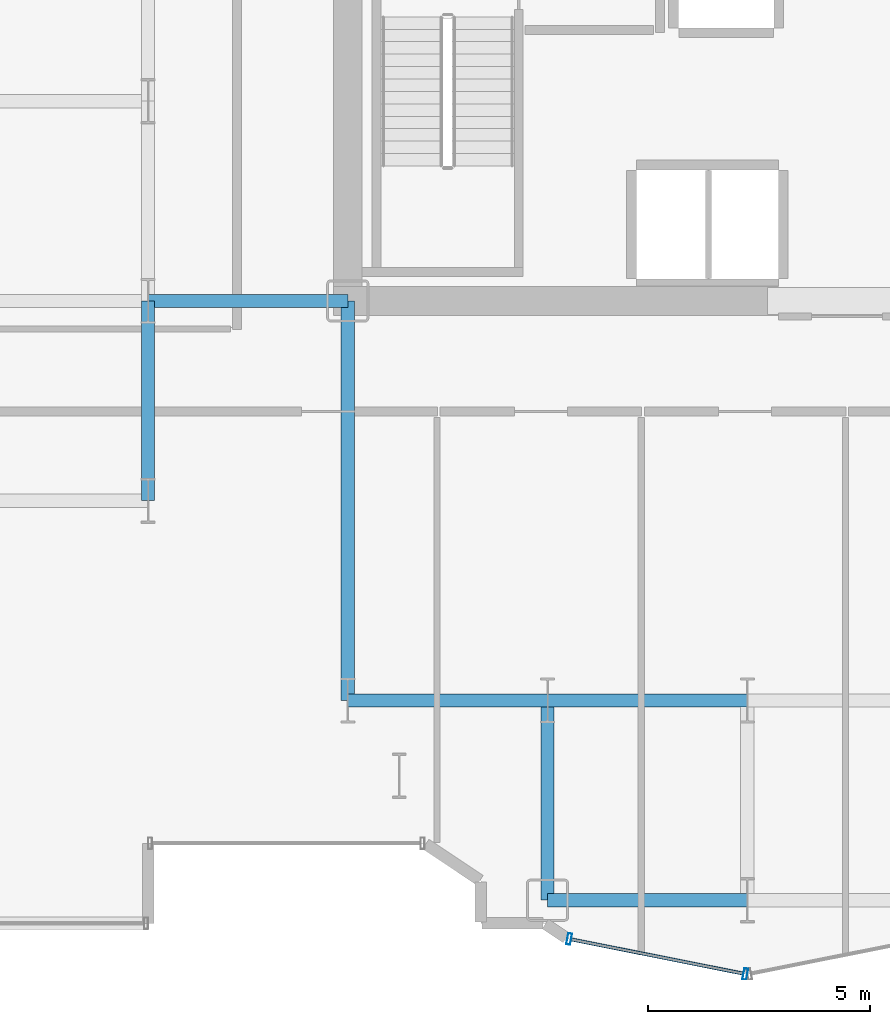
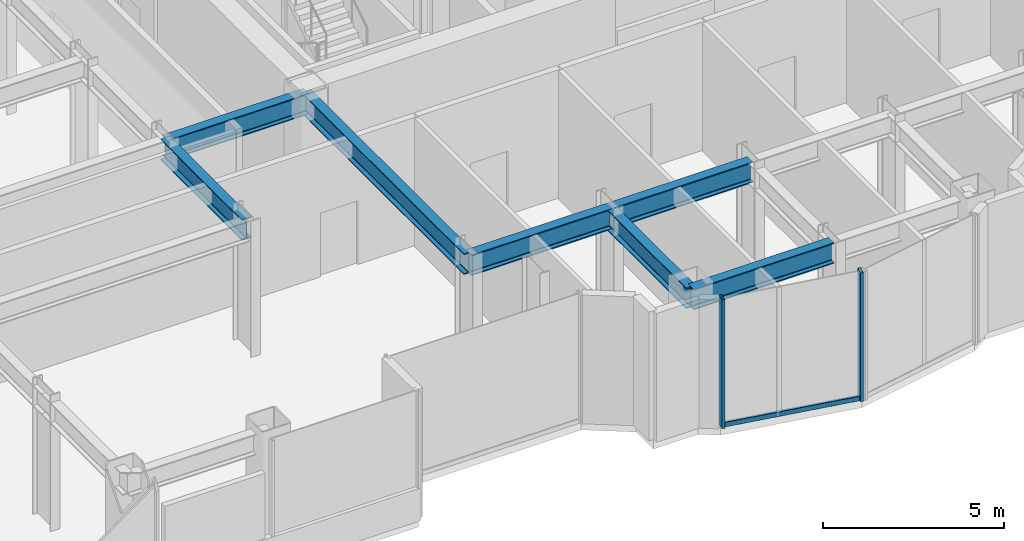
# One storey, part 4 of 30: 7 beams, 3 members, 1 element without a shape of its own.
"""IFC4 building model written with IfcOpenShell, lengths in metres."""

from ifc_helpers import new_model, si_unit, direction, frame, origin, origin_2d, place, context, subcontext, project, spatial, hollow_rectangle, i_section, extrude, source, transform, mapped, material, layer, layer_set, material_profile, profile_set, type_object, element, aggregate, save


model = new_model("IFC4")

# Units and contexts
model_context = context("Model", 3, precision=1e-05, world=origin(), true_north=direction((0.0, 1.0)))
body_context = subcontext(model_context, "Body", "Model", "MODEL_VIEW")
ifc_project = project(units=[si_unit("LENGTHUNIT", "METRE"), si_unit("AREAUNIT", "SQUARE_METRE"), si_unit("VOLUMEUNIT", "CUBIC_METRE"), si_unit("PLANEANGLEUNIT", "RADIAN"), si_unit("MASSUNIT", "GRAM", prefix="KILO")], contexts=[model_context])

# Site, building, storey
site_placement = place(None, origin())
site = spatial("IfcSite", under=ifc_project, at=site_placement, CompositionType="ELEMENT")
building_placement = place(site_placement, origin())
building = spatial("IfcBuilding", under=site, at=building_placement, Name="Nefas-Gora Pilgrimage Tower", CompositionType="ELEMENT")
storey_placement = place(building_placement, frame((0.0, 0.0, 86.199951171875)))
storey = spatial("IfcBuildingStorey", under=building, at=storey_placement, Name="L20", CompositionType="ELEMENT", Elevation=86.199951171875)

# Beams
ifc_material_1 = material(Name="Steel S355", Category="steel")
ifc_material_profile_1 = material_profile(ifc_material_1, i_section(OverallWidth=0.300048828125, OverallDepth=0.699951171875, WebThickness=0.01708984375, FlangeThickness=0.031982421875, FilletRadius=0.027099609375, at=origin_2d()), Name="HEB 700")
ifc_profile_set_1 = profile_set([ifc_material_profile_1], Name="Steel S355")
beam_type = type_object("IfcBeamType", Name="BM-GIR-HEB700", PredefinedType="BEAM", material=ifc_profile_set_1)
shared_shape_1 = source(origin(), body_context, "Body", "SweptSolid", [
    extrude(i_section(OverallWidth=0.300048828125, OverallDepth=0.699951171875, WebThickness=0.01708984375, FlangeThickness=0.031982421875, FilletRadius=0.027099609375, at=origin_2d()), origin(), (0.0, 0.0, 1.0), 9.0),
])
beam_placement = place(storey_placement, frame((-11.25, -18.0, 4.0), z_axis=(0.0, 1.0, 0.0), x_axis=(-1.0, 0.0, 0.0)))
element("IfcBeam", 1, at=beam_placement, inside=storey, type_object=beam_type, Name="L20 G-02 beam", PredefinedType="BEAM", context=body_context, shape_type="MappedRepresentation", body=[
    mapped(shared_shape_1, transform((0.0, 0.0, 0.0), x_axis=(1.0, 0.0, 0.0), y_axis=(0.0, 1.0, 0.0), z_axis=(0.0, 0.0, 1.0), scale=1.0)),
])
shared_shape_2 = source(origin(), body_context, "Body", "SweptSolid", [
    extrude(i_section(OverallWidth=0.300048828125, OverallDepth=0.699951171875, WebThickness=0.01708984375, FlangeThickness=0.031982421875, FilletRadius=0.027099609375, at=origin_2d()), origin(), (0.0, 0.0, 1.0), 4.5),
])
for number, where, z_axis, x_axis, name in (
    (2, (-15.75, -13.5, 4.0), (0.0, 1.0, 0.0), (-1.0, 0.0, 0.0), "L20 G-02 beam"),
    (3, (-15.75, -9.0, 4.0), (1.0, 0.0, 0.0), (0.0, 1.0, 0.0), "L20 G-02 beam"),
    (4, (-11.25, -18.0, 4.0), (1.0, 0.0, 0.0), (0.0, 1.0, 0.0), "L20 G-02 beam"),
    (5, (-6.75, -22.5, 4.0), (0.0, 1.0, 0.0), (-1.0, 0.0, 0.0), "L20 G-02 beam"),
    (6, (-6.75, -22.5, 4.0), (1.0, 0.0, 0.0), (0.0, 1.0, 0.0), "L20 G-02 beam"),
    (7, (-6.75, -18.0, 4.0), (1.0, 0.0, 0.0), (0.0, 1.0, 0.0), "L20 G-02 beam"),
):
    element("IfcBeam", number, at=place(storey_placement, frame(where, z_axis=z_axis, x_axis=x_axis)), inside=storey, type_object=beam_type, Name=name, PredefinedType="BEAM", context=body_context, shape_type="MappedRepresentation", body=[
        mapped(shared_shape_2, transform((0.0, 0.0, 0.0), x_axis=(1.0, 0.0, 0.0), y_axis=(0.0, 1.0, 0.0), z_axis=(0.0, 0.0, 1.0), scale=1.0)),
    ])

# Curtain wall, members
ifc_material_2 = material(Name="Dark ceramic-fritted solar-control aluminium-glass curtain wall", Category="aluminium")
ifc_layer = layer(ifc_material_2, 0.219970703125)
ifc_layer_set = layer_set([ifc_layer], Name="Dark ceramic-fritted solar-control aluminium-glass curtain wall")
curtain_wall_type = type_object("IfcCurtainWallType", Name="CW-SYS-5", PredefinedType="NOTDEFINED", material=ifc_layer_set)
curtain_wall_placement = place(storey_placement, origin())
curtain_wall = element("IfcCurtainWall", 8, at=curtain_wall_placement, inside=storey, type_object=curtain_wall_type, Name="L20 Unitised Curtain Wall CW5", PredefinedType="NOTDEFINED")
ifc_material_3 = material(Name="Anodised architectural aluminium", Category="aluminium")
ifc_material_profile_2 = material_profile(ifc_material_3, hollow_rectangle(XDim=0.080078125, YDim=0.159912109375, WallThickness=0.00439453125, InnerFilletRadius=0.00439453125, OuterFilletRadius=0.009033203125, at=origin_2d()), Name="ALU TRANSOM 80x160")
ifc_profile_set_2 = profile_set([ifc_material_profile_2], Name="Anodised architectural aluminium")
member_type_1 = type_object("IfcMemberType", Name="CWM-TRN-5", PredefinedType="USERDEFINED", material=ifc_profile_set_2)
shared_shape_3 = source(origin(), body_context, "Body", "SweptSolid", [
    extrude(hollow_rectangle(XDim=0.080078125, YDim=0.159912109375, WallThickness=0.00439453125, InnerFilletRadius=0.00439453125, OuterFilletRadius=0.009033203125, at=origin_2d()), origin(), (0.0, 0.0, 1.0), 3.95654296875),
])
member_1_placement = place(storey_placement, frame((-6.218994140625, -23.3828125, 0.050048828125), z_axis=(0.980781880918, -0.195107411605, 0.0), x_axis=(0.195107411605, 0.980781880918, 0.0)))
member_1 = element("IfcMember", 9, at=member_1_placement, type_object=member_type_1, Name="CW5 Spandrel Transom", ObjectType="TRANSOM", PredefinedType="USERDEFINED", context=body_context, shape_type="MappedRepresentation", body=[
    mapped(shared_shape_3, transform((0.0, 0.0, 0.0), x_axis=(1.0, 0.0, 0.0), y_axis=(0.0, 1.0, 0.0), z_axis=(0.0, 0.0, 1.0), scale=1.0)),
])
ifc_material_profile_3 = material_profile(ifc_material_3, hollow_rectangle(XDim=0.090087890625, YDim=0.260009765625, WallThickness=0.006103515625, InnerFilletRadius=0.006103515625, OuterFilletRadius=0.011962890625, at=origin_2d()), Name="ALU MULLION 90x260")
ifc_profile_set_3 = profile_set([ifc_material_profile_3], Name="Anodised architectural aluminium")
member_type_2 = type_object("IfcMemberType", Name="CWM-MUL-5", PredefinedType="MULLION", material=ifc_profile_set_3)
shared_shape_4 = source(origin(), body_context, "Body", "SweptSolid", [
    extrude(hollow_rectangle(XDim=0.090087890625, YDim=0.260009765625, WallThickness=0.006103515625, InnerFilletRadius=0.006103515625, OuterFilletRadius=0.011962890625, at=origin_2d()), origin(), (0.0, 0.0, 1.0), 4.35009765625),
])
member_2_placement = place(storey_placement, frame((-6.26318359375, -23.3740234375, 0.0), z_axis=(0.0, 0.0, 1.0), x_axis=(0.980782896852, -0.195102304554, 0.0)))
member_2 = element("IfcMember", 10, at=member_2_placement, type_object=member_type_2, Name="CW5 Mullion 1", PredefinedType="MULLION", context=body_context, shape_type="MappedRepresentation", body=[
    mapped(shared_shape_4, transform((0.0, 0.0, 0.0), x_axis=(1.0, 0.0, 0.0), y_axis=(0.0, 1.0, 0.0), z_axis=(0.0, 0.0, 1.0), scale=1.0)),
])
member_3_placement = place(storey_placement, frame((-2.294189453125, -24.16357421875, 0.0), z_axis=(0.0, 0.0, 1.0), x_axis=(0.980782896852, -0.195102304554, 0.0)))
member_3 = element("IfcMember", 11, at=member_3_placement, type_object=member_type_2, Name="CW5 Mullion 2", PredefinedType="MULLION", context=body_context, shape_type="MappedRepresentation", body=[
    mapped(shared_shape_4, transform((0.0, 0.0, 0.0), x_axis=(1.0, 0.0, 0.0), y_axis=(0.0, 1.0, 0.0), z_axis=(0.0, 0.0, 1.0), scale=1.0)),
])
aggregate(curtain_wall, [member_2, member_3, member_1])

save(model, "model.ifc")
